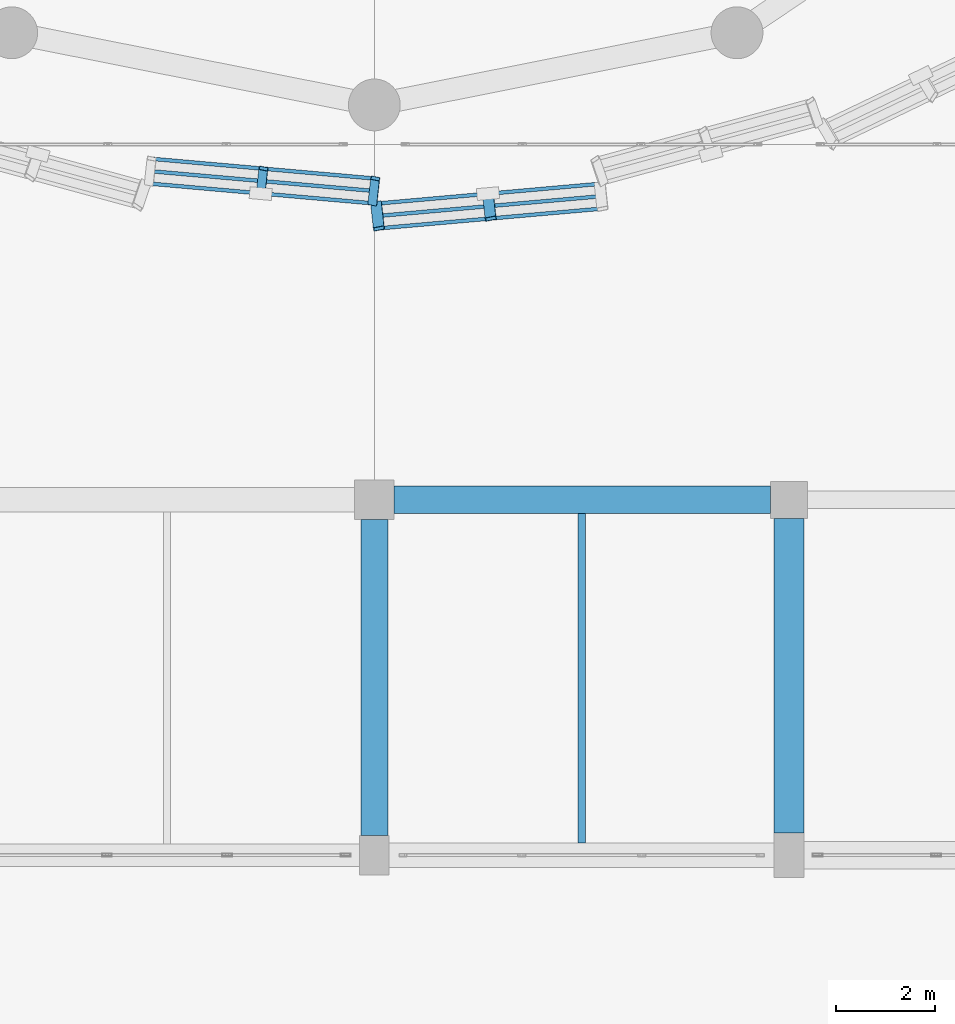
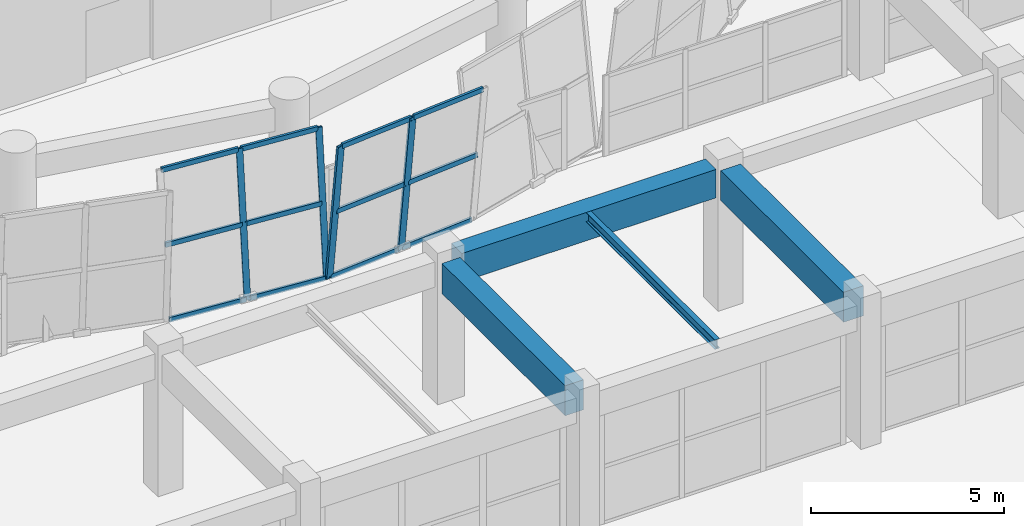
# One storey, part 21 of 72: 16 members, 4 beams, 2 elements without a shape of their own.
"""IFC4 building model written with IfcOpenShell, lengths in metres."""

from ifc_helpers import new_model, si_unit, direction, frame, origin, origin_2d, place, context, subcontext, project, spatial, rectangle, hollow_rectangle, i_section, extrude, material, material_profile, profile_set, type_object, element, aggregate, save


model = new_model("IFC4")

# Units and contexts
model_context = context("Model", 3, precision=1e-05, world=origin(), true_north=direction((0.0, 1.0)))
body_context = subcontext(model_context, "Body", "Model", "MODEL_VIEW")
ifc_project = project(units=[si_unit("LENGTHUNIT", "METRE"), si_unit("AREAUNIT", "SQUARE_METRE"), si_unit("VOLUMEUNIT", "CUBIC_METRE"), si_unit("PLANEANGLEUNIT", "RADIAN"), si_unit("MASSUNIT", "GRAM", prefix="KILO")], contexts=[model_context])

# Site, building, storey
site_placement = place(None, origin())
site = spatial("IfcSite", under=ifc_project, at=site_placement, CompositionType="ELEMENT")
building_placement = place(site_placement, origin())
building = spatial("IfcBuilding", under=site, at=building_placement, Name="Korsvaeld Concert Hall", CompositionType="ELEMENT")
storey_placement = place(building_placement, origin())
storey = spatial("IfcBuildingStorey", under=building, at=storey_placement, Name="L00", CompositionType="ELEMENT", Elevation=0.0)

# Beams
ifc_material_1 = material(Name="Concrete C40/50", Category="concrete")
ifc_material_profile_1 = material_profile(ifc_material_1, rectangle(XDim=0.550048828125, YDim=0.89990234375, at=origin_2d()), Name="RC 550x900")
ifc_profile_set_1 = profile_set([ifc_material_profile_1], Name="Concrete C40/50")
beam_type_1 = type_object("IfcBeamType", Name="BM-RC-550x900", PredefinedType="T_BEAM", material=ifc_profile_set_1)
beam_1_placement = place(storey_placement, frame((84.39990234375, 36.0, 3.989990234375), z_axis=(1.0, 0.0, 0.0), x_axis=(0.0, 1.0, 0.0)))
element("IfcBeam", 1, at=beam_1_placement, inside=storey, type_object=beam_type_1, Name="Primary girder 12-13/F L00", PredefinedType="T_BEAM", context=body_context, shape_type="SweptSolid", body=[
    extrude(rectangle(XDim=0.550048828125, YDim=0.89990234375, at=origin_2d()), origin(), (0.0, 0.0, 1.0), 7.625),
])
ifc_material_profile_2 = material_profile(ifc_material_1, rectangle(XDim=0.550048828125, YDim=0.949951171875, at=origin_2d()), Name="RC 550x950")
ifc_profile_set_2 = profile_set([ifc_material_profile_2], Name="Concrete C40/50")
beam_type_2 = type_object("IfcBeamType", Name="BM-RC-550x950", PredefinedType="T_BEAM", material=ifc_profile_set_2)
beam_2_placement = place(storey_placement, frame((84.0, 29.199951171875, 3.965087890625), z_axis=(0.0, 1.0, 0.0), x_axis=(-1.0, 0.0, 0.0)))
element("IfcBeam", 2, at=beam_2_placement, inside=storey, type_object=beam_type_2, Name="Primary girder 12/E-F L00", PredefinedType="T_BEAM", context=body_context, shape_type="SweptSolid", body=[
    extrude(rectangle(XDim=0.550048828125, YDim=0.949951171875, at=origin_2d()), origin(), (0.0, 0.0, 1.0), 6.400146484375),
])
ifc_material_profile_3 = material_profile(ifc_material_1, rectangle(XDim=0.60009765625, YDim=0.949951171875, at=origin_2d()), Name="RC 600x950")
ifc_profile_set_3 = profile_set([ifc_material_profile_3], Name="Concrete C40/50")
beam_type_3 = type_object("IfcBeamType", Name="BM-RC-600x950", PredefinedType="T_BEAM", material=ifc_profile_set_3)
beam_3_placement = place(storey_placement, frame((92.39990234375, 29.25, 3.965087890625), z_axis=(0.0, 1.0, 0.0), x_axis=(-1.0, 0.0, 0.0)))
element("IfcBeam", 3, at=beam_3_placement, inside=storey, type_object=beam_type_3, Name="Primary girder 13/E-F L00", PredefinedType="T_BEAM", context=body_context, shape_type="SweptSolid", body=[
    extrude(rectangle(XDim=0.60009765625, YDim=0.949951171875, at=origin_2d()), origin(), (0.0, 0.0, 1.0), 6.375),
])
ifc_material_2 = material(Name="Steel S355J2", Category="steel")
ifc_material_profile_4 = material_profile(ifc_material_2, i_section(OverallWidth=0.14990234375, OverallDepth=0.300048828125, WebThickness=0.007080078125, FlangeThickness=0.0107421875, FilletRadius=0.014892578125, at=origin_2d()), Name="IPE 300")
ifc_profile_set_4 = profile_set([ifc_material_profile_4], Name="Steel S355J2")
beam_type_4 = type_object("IfcBeamType", Name="BM-STL-IPE300", PredefinedType="JOIST", material=ifc_profile_set_4)
beam_4_placement = place(storey_placement, frame((88.199951171875, 29.050048828125, 4.2900390625), z_axis=(0.0, 1.0, 0.0), x_axis=(-1.0, 0.0, 0.0)))
element("IfcBeam", 4, at=beam_4_placement, inside=storey, type_object=beam_type_4, Name="Secondary steel floor beam 12-13/E L00", PredefinedType="JOIST", context=body_context, shape_type="SweptSolid", body=[
    extrude(i_section(OverallWidth=0.14990234375, OverallDepth=0.300048828125, WebThickness=0.007080078125, FlangeThickness=0.0107421875, FilletRadius=0.014892578125, at=origin_2d()), origin(), (0.0, 0.0, 1.0), 6.675048828125),
])

# Curtain wall, members
ifc_material_3 = material(Name="Anodised bronze and ceramic-fritted safety glass", Category="glass")
curtain_wall_type_1 = type_object("IfcCurtainWallType", Name="CW-TYPE-08", PredefinedType="USERDEFINED", material=ifc_material_3)
curtain_wall_1_placement = place(storey_placement, origin())
curtain_wall_1 = element("IfcCurtainWall", 5, at=curtain_wall_1_placement, inside=storey, type_object=curtain_wall_type_1, Name="Crystal curtain-wall facet L00 F24", ObjectType="CURTAIN WALL", PredefinedType="USERDEFINED")
ifc_material_4 = material(Name="Anodised architectural bronze aluminium", Category="aluminium")
ifc_material_profile_5 = material_profile(ifc_material_4, hollow_rectangle(XDim=0.074951171875, YDim=0.179931640625, WallThickness=0.0048828125, at=origin_2d()), Name="CWM 180x75x5")
ifc_profile_set_5 = profile_set([ifc_material_profile_5], Name="Anodised architectural bronze aluminium")
member_type_1 = type_object("IfcMemberType", Name="CWM-BRONZE-180x75", PredefinedType="MULLION", material=ifc_profile_set_5)
member_1_placement = place(storey_placement, frame((81.697998046875, 42.20361328125, 0.0), z_axis=(0.012345141501, 0.112568198157, 0.993567309368), x_axis=(-0.195508326657, -0.974193062064, 0.112802358284)))
member_1 = element("IfcMember", 6, at=member_1_placement, type_object=member_type_1, Name="CW-CRYS-L00-F24 crystal mullion 2", PredefinedType="MULLION", context=body_context, shape_type="SweptSolid", body=[
    extrude(hollow_rectangle(XDim=0.074951171875, YDim=0.179931640625, WallThickness=0.0048828125, at=origin_2d()), origin(), (0.0, 0.0, 1.0), 4.509033203125),
])
member_2_placement = place(storey_placement, frame((83.962646484375, 42.00341796875, 0.0), z_axis=(0.012345216727, 0.112514738419, 0.993573363805), x_axis=(-0.195559786673, -0.974188860207, 0.112749432309)))
member_2 = element("IfcMember", 7, at=member_2_placement, type_object=member_type_1, Name="CW-CRYS-L00-F24 crystal mullion 3", PredefinedType="MULLION", context=body_context, shape_type="SweptSolid", body=[
    extrude(hollow_rectangle(XDim=0.074951171875, YDim=0.179931640625, WallThickness=0.0048828125, at=origin_2d()), origin(), (0.0, 0.0, 1.0), 4.509033203125),
])

curtain_wall_type_2 = type_object("IfcCurtainWallType", Name="CW-TYPE-01", PredefinedType="USERDEFINED", material=ifc_material_3)
curtain_wall_2_placement = place(storey_placement, origin())
curtain_wall_2 = element("IfcCurtainWall", 8, at=curtain_wall_2_placement, inside=storey, type_object=curtain_wall_type_2, Name="Crystal curtain-wall facet L00 F25", ObjectType="CURTAIN WALL", PredefinedType="USERDEFINED")
ifc_material_profile_6 = material_profile(ifc_material_4, hollow_rectangle(XDim=0.074951171875, YDim=0.219970703125, WallThickness=0.006103515625, at=origin_2d()), Name="CWM 220x75x6")
ifc_profile_set_6 = profile_set([ifc_material_profile_6], Name="Anodised architectural bronze aluminium")
member_type_2 = type_object("IfcMemberType", Name="CWM-BRONZE-220x75", PredefinedType="MULLION", material=ifc_profile_set_6)
member_3_placement = place(storey_placement, frame((84.037353515625, 42.00341796875, 0.0), z_axis=(0.012345141501, -0.112568198157, 0.993567309368), x_axis=(-0.195508326657, 0.974193062064, 0.112802358284)))
member_3 = element("IfcMember", 9, at=member_3_placement, type_object=member_type_2, Name="CW-CRYS-L00-F25 crystal mullion 1", PredefinedType="MULLION", context=body_context, shape_type="SweptSolid", body=[
    extrude(hollow_rectangle(XDim=0.074951171875, YDim=0.219970703125, WallThickness=0.006103515625, at=origin_2d()), origin(), (0.0, 0.0, 1.0), 4.509033203125),
])
member_4_placement = place(storey_placement, frame((86.302001953125, 42.20361328125, 0.0), z_axis=(0.012345216727, -0.112514738419, 0.993573363805), x_axis=(-0.195559786673, 0.974188860207, 0.112749432309)))
member_4 = element("IfcMember", 10, at=member_4_placement, type_object=member_type_2, Name="CW-CRYS-L00-F25 crystal mullion 2", PredefinedType="MULLION", context=body_context, shape_type="SweptSolid", body=[
    extrude(hollow_rectangle(XDim=0.074951171875, YDim=0.219970703125, WallThickness=0.006103515625, at=origin_2d()), origin(), (0.0, 0.0, 1.0), 4.509033203125),
])

# Member
ifc_material_profile_7 = material_profile(ifc_material_4, hollow_rectangle(XDim=0.074951171875, YDim=0.14990234375, WallThickness=0.0048828125, at=origin_2d()), Name="CWT 150x75x5")
ifc_profile_set_7 = profile_set([ifc_material_profile_7], Name="Anodised architectural bronze aluminium")
member_type_3 = type_object("IfcMemberType", Name="CWT-BRONZE-150x75", PredefinedType="USERDEFINED", material=ifc_profile_set_7)
member_5_placement = place(storey_placement, frame((79.470947265625, 42.404296875, 0.030029296875), z_axis=(0.996105218313, -0.088172524341, 0.0), x_axis=(0.088172524341, 0.996105218313, 0.0)))
member_5 = element("IfcMember", 11, at=member_5_placement, type_object=member_type_3, Name="CW-CRYS-L00-F24 crystal transom 1.1", ObjectType="TRANSOM", PredefinedType="USERDEFINED", context=body_context, shape_type="SweptSolid", body=[
    extrude(hollow_rectangle(XDim=0.074951171875, YDim=0.14990234375, WallThickness=0.0048828125, at=origin_2d()), origin(), (0.0, 0.0, 1.0), 2.198486328125),
])

member_6_placement = place(storey_placement, frame((79.49853515625, 42.654541015625, 2.239990234375), z_axis=(0.996105218313, -0.088172524341, 0.0), x_axis=(0.088172524341, 0.996105218313, 0.0)))
member_6 = element("IfcMember", 12, at=member_6_placement, type_object=member_type_3, Name="CW-CRYS-L00-F24 crystal transom 1.2", ObjectType="TRANSOM", PredefinedType="USERDEFINED", context=body_context, shape_type="SweptSolid", body=[
    extrude(hollow_rectangle(XDim=0.074951171875, YDim=0.14990234375, WallThickness=0.0048828125, at=origin_2d()), origin(), (0.0, 0.0, 1.0), 2.198486328125),
])

member_7_placement = place(storey_placement, frame((79.52587890625, 42.90478515625, 4.449951171875), z_axis=(0.996105218313, -0.088172524341, 0.0), x_axis=(0.088172524341, 0.996105218313, 0.0)))
member_7 = element("IfcMember", 13, at=member_7_placement, type_object=member_type_3, Name="CW-CRYS-L00-F24 crystal transom 1.3", ObjectType="TRANSOM", PredefinedType="USERDEFINED", context=body_context, shape_type="SweptSolid", body=[
    extrude(hollow_rectangle(XDim=0.074951171875, YDim=0.14990234375, WallThickness=0.0048828125, at=origin_2d()), origin(), (0.0, 0.0, 1.0), 2.198486328125),
])

member_8_placement = place(storey_placement, frame((81.735595703125, 42.203857421875, 0.030029296875), z_axis=(0.996106081505, -0.088162772123, 0.0), x_axis=(0.088162772123, 0.996106081505, 0.0)))
member_8 = element("IfcMember", 14, at=member_8_placement, type_object=member_type_3, Name="CW-CRYS-L00-F24 crystal transom 2.1", ObjectType="TRANSOM", PredefinedType="USERDEFINED", context=body_context, shape_type="SweptSolid", body=[
    extrude(hollow_rectangle(XDim=0.074951171875, YDim=0.14990234375, WallThickness=0.0048828125, at=origin_2d()), origin(), (0.0, 0.0, 1.0), 2.19873046875),
])

member_9_placement = place(storey_placement, frame((81.76318359375, 42.4541015625, 2.239990234375), z_axis=(0.996105218313, -0.088172524341, 0.0), x_axis=(0.088172524341, 0.996105218313, 0.0)))
member_9 = element("IfcMember", 15, at=member_9_placement, type_object=member_type_3, Name="CW-CRYS-L00-F24 crystal transom 2.2", ObjectType="TRANSOM", PredefinedType="USERDEFINED", context=body_context, shape_type="SweptSolid", body=[
    extrude(hollow_rectangle(XDim=0.074951171875, YDim=0.14990234375, WallThickness=0.0048828125, at=origin_2d()), origin(), (0.0, 0.0, 1.0), 2.198486328125),
])

member_10_placement = place(storey_placement, frame((81.79052734375, 42.704345703125, 4.449951171875), z_axis=(0.996105218313, -0.088172524341, 0.0), x_axis=(0.088172524341, 0.996105218313, 0.0)))
member_10 = element("IfcMember", 16, at=member_10_placement, type_object=member_type_3, Name="CW-CRYS-L00-F24 crystal transom 2.3", ObjectType="TRANSOM", PredefinedType="USERDEFINED", context=body_context, shape_type="SweptSolid", body=[
    extrude(hollow_rectangle(XDim=0.074951171875, YDim=0.14990234375, WallThickness=0.0048828125, at=origin_2d()), origin(), (0.0, 0.0, 1.0), 2.198486328125),
])

aggregate(curtain_wall_1, [member_1, member_2, member_5, member_6, member_7, member_8, member_9, member_10])

member_11_placement = place(storey_placement, frame((84.0751953125, 42.003173828125, 0.030029296875), z_axis=(0.996105218313, 0.088172524341, 0.0), x_axis=(-0.088172524341, 0.996105218313, 0.0)))
member_11 = element("IfcMember", 17, at=member_11_placement, type_object=member_type_3, Name="CW-CRYS-L00-F25 crystal transom 1.1", ObjectType="TRANSOM", PredefinedType="USERDEFINED", context=body_context, shape_type="SweptSolid", body=[
    extrude(hollow_rectangle(XDim=0.074951171875, YDim=0.14990234375, WallThickness=0.0048828125, at=origin_2d()), origin(), (0.0, 0.0, 1.0), 2.198486328125),
])

member_12_placement = place(storey_placement, frame((84.1025390625, 41.7529296875, 2.239990234375), z_axis=(0.996105218313, 0.088172524341, 0.0), x_axis=(-0.088172524341, 0.996105218313, 0.0)))
member_12 = element("IfcMember", 18, at=member_12_placement, type_object=member_type_3, Name="CW-CRYS-L00-F25 crystal transom 1.2", ObjectType="TRANSOM", PredefinedType="USERDEFINED", context=body_context, shape_type="SweptSolid", body=[
    extrude(hollow_rectangle(XDim=0.074951171875, YDim=0.14990234375, WallThickness=0.0048828125, at=origin_2d()), origin(), (0.0, 0.0, 1.0), 2.198486328125),
])

member_13_placement = place(storey_placement, frame((84.1298828125, 41.502685546875, 4.449951171875), z_axis=(0.996115826652, 0.088052597317, 0.0), x_axis=(-0.088052597317, 0.996115826652, 0.0)))
member_13 = element("IfcMember", 19, at=member_13_placement, type_object=member_type_3, Name="CW-CRYS-L00-F25 crystal transom 1.3", ObjectType="TRANSOM", PredefinedType="USERDEFINED", context=body_context, shape_type="SweptSolid", body=[
    extrude(hollow_rectangle(XDim=0.074951171875, YDim=0.14990234375, WallThickness=0.0048828125, at=origin_2d()), origin(), (0.0, 0.0, 1.0), 2.19873046875),
])

member_14_placement = place(storey_placement, frame((86.33984375, 42.20361328125, 0.030029296875), z_axis=(0.996105218313, 0.088172524341, 0.0), x_axis=(-0.088172524341, 0.996105218313, 0.0)))
member_14 = element("IfcMember", 20, at=member_14_placement, type_object=member_type_3, Name="CW-CRYS-L00-F25 crystal transom 2.1", ObjectType="TRANSOM", PredefinedType="USERDEFINED", context=body_context, shape_type="SweptSolid", body=[
    extrude(hollow_rectangle(XDim=0.074951171875, YDim=0.14990234375, WallThickness=0.0048828125, at=origin_2d()), origin(), (0.0, 0.0, 1.0), 2.198486328125),
])

member_15_placement = place(storey_placement, frame((86.3671875, 41.953369140625, 2.239990234375), z_axis=(0.996114965607, 0.088062337539, 0.0), x_axis=(-0.088062337539, 0.996114965607, 0.0)))
member_15 = element("IfcMember", 21, at=member_15_placement, type_object=member_type_3, Name="CW-CRYS-L00-F25 crystal transom 2.2", ObjectType="TRANSOM", PredefinedType="USERDEFINED", context=body_context, shape_type="SweptSolid", body=[
    extrude(hollow_rectangle(XDim=0.074951171875, YDim=0.14990234375, WallThickness=0.0048828125, at=origin_2d()), origin(), (0.0, 0.0, 1.0), 2.198486328125),
])

member_16_placement = place(storey_placement, frame((86.394775390625, 41.703125, 4.449951171875), z_axis=(0.996114965607, 0.088062337539, 0.0), x_axis=(-0.088062337539, 0.996114965607, 0.0)))
member_16 = element("IfcMember", 22, at=member_16_placement, type_object=member_type_3, Name="CW-CRYS-L00-F25 crystal transom 2.3", ObjectType="TRANSOM", PredefinedType="USERDEFINED", context=body_context, shape_type="SweptSolid", body=[
    extrude(hollow_rectangle(XDim=0.074951171875, YDim=0.14990234375, WallThickness=0.0048828125, at=origin_2d()), origin(), (0.0, 0.0, 1.0), 2.198486328125),
])

aggregate(curtain_wall_2, [member_3, member_4, member_11, member_12, member_13, member_14, member_15, member_16])

save(model, "model.ifc")
